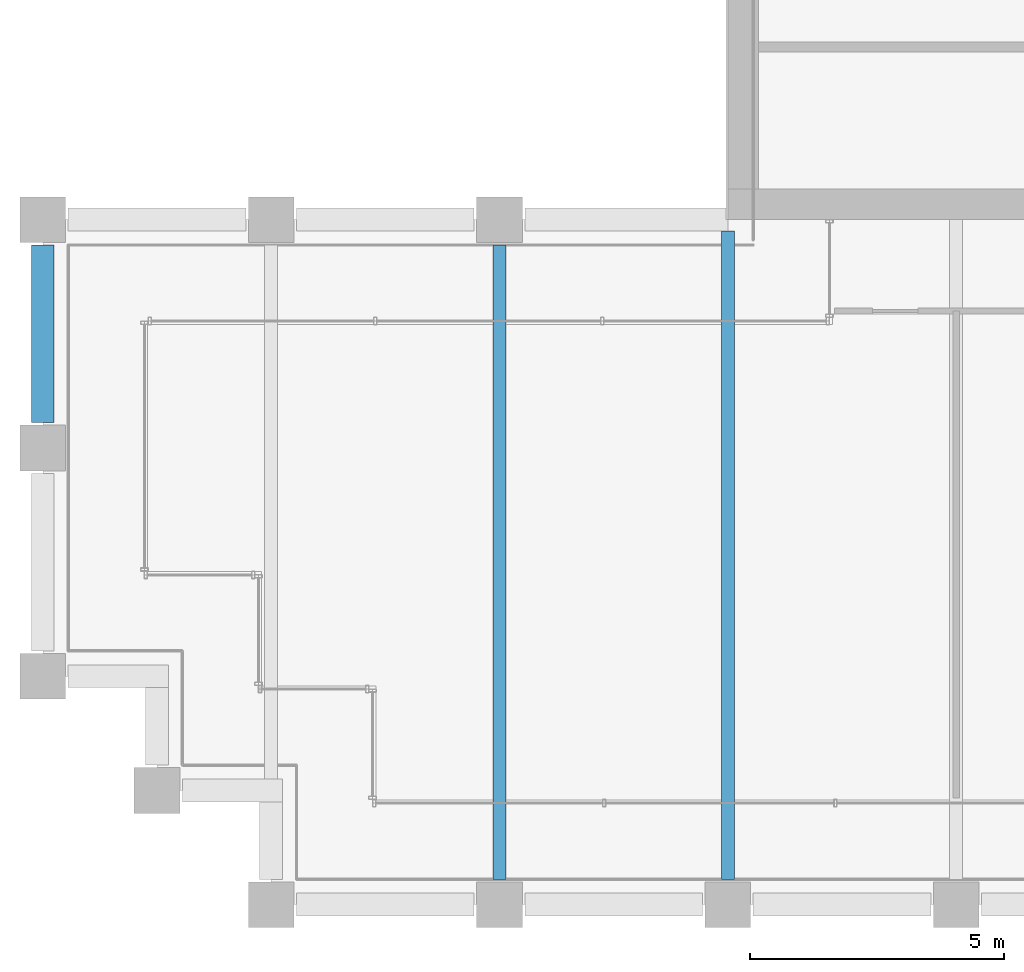
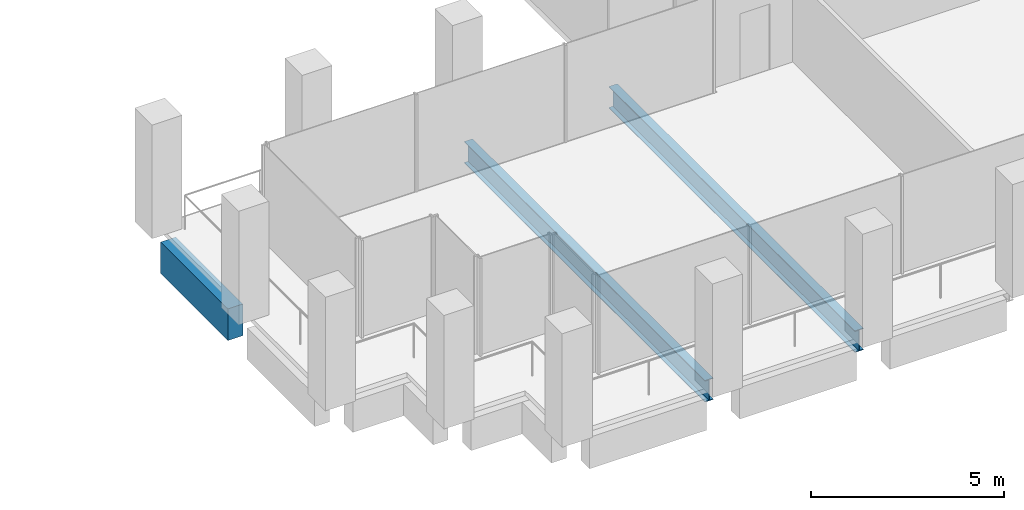
# One storey, part 4 of 44: 3 beams.
"""IFC4 building model written with IfcOpenShell, lengths in metres."""

from ifc_helpers import new_model, si_unit, direction, frame, origin, origin_2d, place, context, subcontext, project, spatial, rectangle, i_section, extrude, material, material_profile, profile_set, type_object, element, save


model = new_model("IFC4")

# Units and contexts
model_context = context("Model", 3, precision=1e-05, world=origin(), true_north=direction((0.0, 1.0)))
body_context = subcontext(model_context, "Body", "Model", "MODEL_VIEW")
ifc_project = project(units=[si_unit("LENGTHUNIT", "METRE"), si_unit("AREAUNIT", "SQUARE_METRE"), si_unit("VOLUMEUNIT", "CUBIC_METRE"), si_unit("PLANEANGLEUNIT", "RADIAN"), si_unit("MASSUNIT", "GRAM", prefix="KILO")], contexts=[model_context])

# Site, building, storey
site_placement = place(None, origin())
site = spatial("IfcSite", under=ifc_project, at=site_placement, CompositionType="ELEMENT")
building_placement = place(site_placement, origin())
building = spatial("IfcBuilding", under=site, at=building_placement, Name="Altepetl Exchange Towers", CompositionType="ELEMENT")
storey_placement = place(building_placement, frame((0.0, 0.0, 143.800048828125)))
storey = spatial("IfcBuildingStorey", under=building, at=storey_placement, Name="L35", CompositionType="ELEMENT", Elevation=143.800048828125)

# Beams
ifc_material_1 = material(Name="Steel S355", Category="steel")
ifc_material_profile_1 = material_profile(ifc_material_1, i_section(OverallWidth=0.25390625, OverallDepth=0.68408203125, WebThickness=0.012451171875, FlangeThickness=0.018798828125, at=origin_2d()), Name="W27X94")
ifc_profile_set_1 = profile_set([ifc_material_profile_1], Name="Steel S355")
beam_type_1 = type_object("IfcBeamType", Name="Floor beam W27X94", PredefinedType="BEAM", material=ifc_profile_set_1)
beam_1_placement = place(storey_placement, frame((36.0, 27.5, -0.491943359375), z_axis=(0.0, 1.0, 0.0), x_axis=(-1.0, 0.0, 0.0)))
element("IfcBeam", 1, at=beam_1_placement, inside=storey, type_object=beam_type_1, Name="bm:A:L35:013", PredefinedType="BEAM", context=body_context, shape_type="SweptSolid", body=[
    extrude(i_section(OverallWidth=0.25390625, OverallDepth=0.68408203125, WebThickness=0.012451171875, FlangeThickness=0.018798828125, at=origin_2d()), origin(), (0.0, 0.0, 1.0), 12.5),
])
beam_2_placement = place(storey_placement, frame((40.5, 27.5, -0.491943359375), z_axis=(0.0, 1.0, 0.0), x_axis=(-1.0, 0.0, 0.0)))
element("IfcBeam", 2, at=beam_2_placement, inside=storey, type_object=beam_type_1, Name="bm:A:L35:014", PredefinedType="BEAM", context=body_context, shape_type="SweptSolid", body=[
    extrude(i_section(OverallWidth=0.25390625, OverallDepth=0.68408203125, WebThickness=0.012451171875, FlangeThickness=0.018798828125, at=origin_2d()), origin(), (0.0, 0.0, 1.0), 12.77490234375),
])
ifc_material_2 = material(Name="Concrete C50/60 precast with cantera blanca facing", Category="concrete")
ifc_material_profile_2 = material_profile(ifc_material_2, rectangle(XDim=0.449951171875, YDim=1.0, at=origin_2d()), Name="450 x 1000")
ifc_profile_set_2 = profile_set([ifc_material_profile_2], Name="Concrete C50/60 precast with cantera blanca facing")
beam_type_2 = type_object("IfcBeamType", Name="Spandrel beam 450x1000 cantera blanca", PredefinedType="SPANDREL", material=ifc_profile_set_2)
beam_3_placement = place(storey_placement, frame((27.0, 40.0, -0.650146484375), z_axis=(0.0, -1.0, 0.0), x_axis=(1.0, 0.0, 0.0)))
element("IfcBeam", 3, at=beam_3_placement, inside=storey, type_object=beam_type_2, Name="sp:A:L35:036", PredefinedType="SPANDREL", context=body_context, shape_type="SweptSolid", body=[
    extrude(rectangle(XDim=0.449951171875, YDim=1.0, at=origin_2d()), origin(), (0.0, 0.0, 1.0), 3.5),
])

save(model, "model.ifc")
